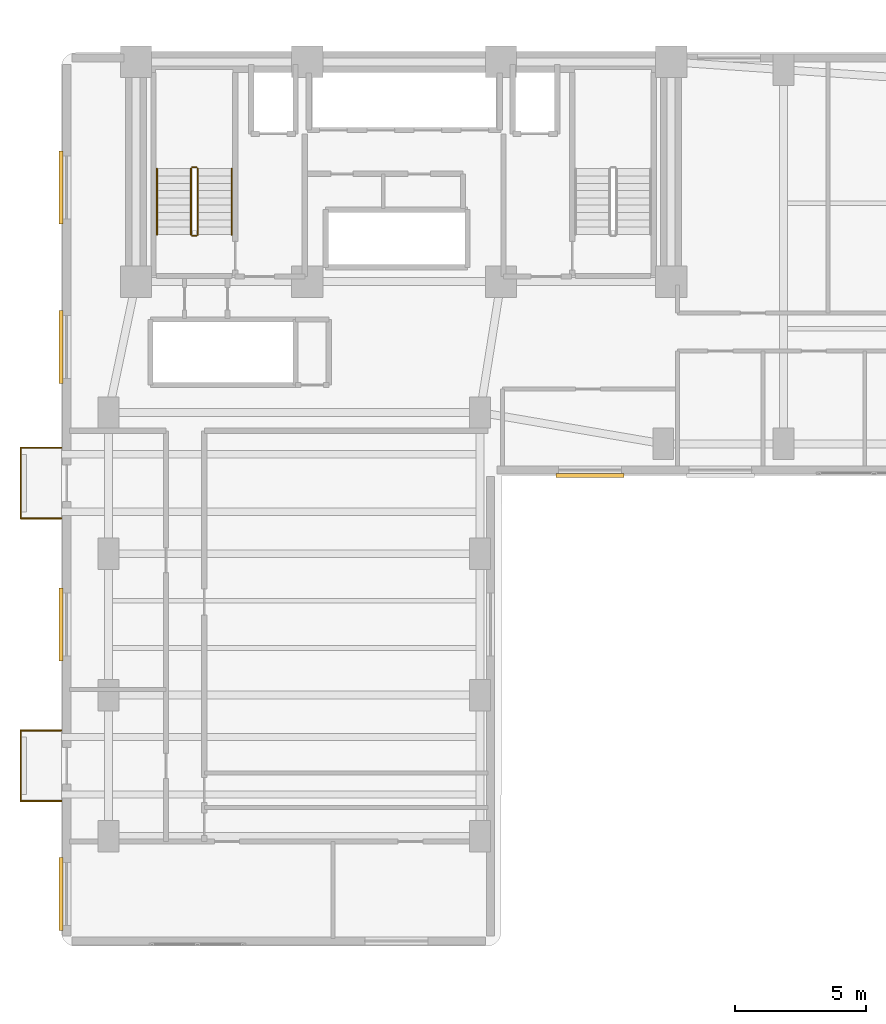
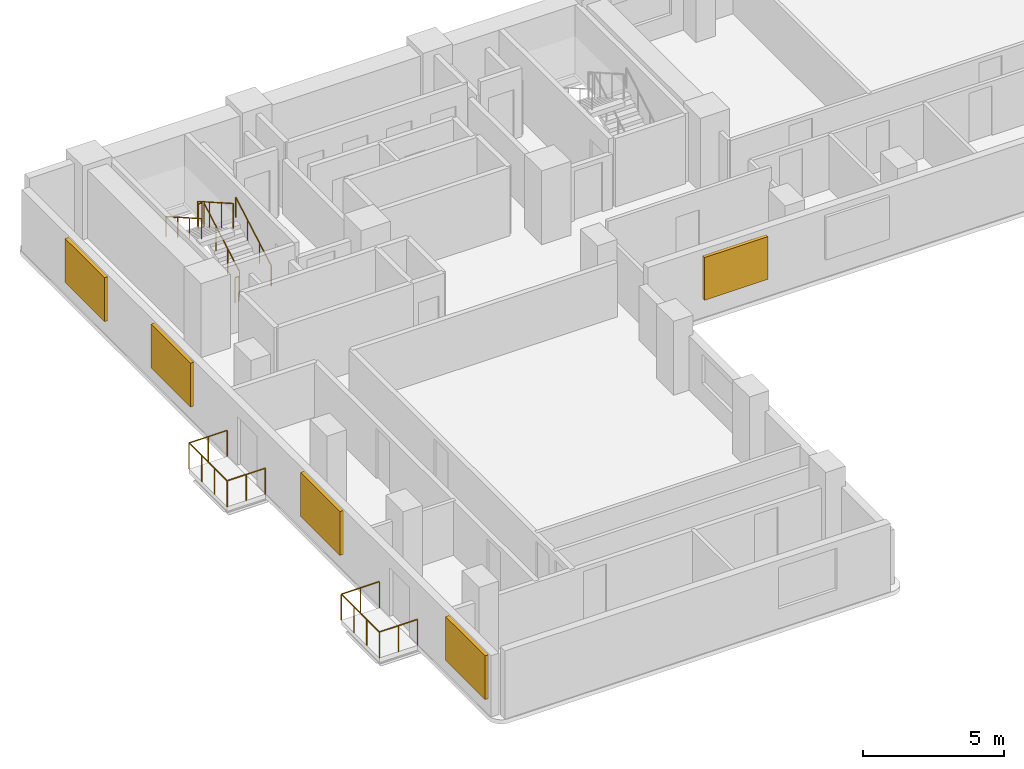
# One storey, part 13 of 15: 12 railings, 5 shading devices.
"""IFC4 building model written with IfcOpenShell, lengths in metres."""

from ifc_helpers import new_model, si_unit, direction, frame, origin, origin_2d, place, context, subcontext, project, spatial, rectangle, circle, extrude, material, layer, layer_set, type_object, element, save


model = new_model("IFC4")

# Units and contexts
model_context = context("Model", 3, precision=1e-05, world=origin(), true_north=direction((0.0, 1.0)))
body_context = subcontext(model_context, "Body", "Model", "MODEL_VIEW")
ifc_project = project(units=[si_unit("LENGTHUNIT", "METRE"), si_unit("AREAUNIT", "SQUARE_METRE"), si_unit("VOLUMEUNIT", "CUBIC_METRE"), si_unit("PLANEANGLEUNIT", "RADIAN"), si_unit("MASSUNIT", "GRAM", prefix="KILO")], contexts=[model_context])

# Site, building, storey
site_placement = place(None, origin())
site = spatial("IfcSite", under=ifc_project, at=site_placement, CompositionType="ELEMENT")
building_placement = place(site_placement, origin())
building = spatial("IfcBuilding", under=site, at=building_placement, Name="Kuzgunbayir Cultural Tower", CompositionType="ELEMENT")
storey_placement = place(building_placement, frame((0.0, 0.0, 72.39990234375)))
storey = spatial("IfcBuildingStorey", under=building, at=storey_placement, Name="L20", CompositionType="ELEMENT", Elevation=72.39990234375)

# Railings
ifc_material_1 = material(Name="Laminated Glass and Stainless Steel", Category="steel")
ifc_layer_1 = layer(ifc_material_1, 0.080078125)
ifc_layer_set_1 = layer_set([ifc_layer_1], Name="Laminated Glass and Stainless Steel")
railing_type_1 = type_object("IfcRailingType", Name="RLG-BAL-115", PredefinedType="BALUSTRADE", material=ifc_layer_set_1)
railing_1_placement = place(storey_placement, frame((3.60009765625, 13.949951171875, 0.0)))
element("IfcRailing", 1, at=railing_1_placement, inside=storey, type_object=railing_type_1, Name="L20 Balcony Guard BAL-L20-WA1 Segment 1", PredefinedType="BALUSTRADE", context=body_context, shape_type="SweptSolid", body=[
    extrude(circle(Radius=0.02392578125, at=origin_2d()), frame((0.0, 0.0, 1.1259765625), z_axis=(-1.0, 0.0, 0.0), x_axis=(0.0, -1.0, 0.0)), (0.0, 0.0, 1.0), 1.56005859375),
    extrude(circle(Radius=0.02099609375, at=origin_2d()), origin(), (0.0, 0.0, 1.0), 1.101806640625),
    extrude(circle(Radius=0.02099609375, at=origin_2d()), frame((-0.780029296875, 0.0, 0.0)), (0.0, 0.0, 1.0), 1.101806640625),
    extrude(circle(Radius=0.02099609375, at=origin_2d()), frame((-1.56005859375, 0.0, 0.0)), (0.0, 0.0, 1.0), 1.101806640625),
])
railing_2_placement = place(storey_placement, frame((2.0400390625, 13.949951171875, 0.0)))
element("IfcRailing", 2, at=railing_2_placement, inside=storey, type_object=railing_type_1, Name="L20 Balcony Guard BAL-L20-WA1 Segment 2", PredefinedType="BALUSTRADE", context=body_context, shape_type="SweptSolid", body=[
    extrude(circle(Radius=0.02392578125, at=origin_2d()), frame((0.0, 0.0, 1.1259765625), z_axis=(0.0, 1.0, 0.0), x_axis=(-1.0, 0.0, 0.0)), (0.0, 0.0, 1.0), 2.699951171875),
    extrude(circle(Radius=0.02099609375, at=origin_2d()), origin(), (0.0, 0.0, 1.0), 1.101806640625),
    extrude(circle(Radius=0.02099609375, at=origin_2d()), frame((0.0, 0.89990234375, 0.0)), (0.0, 0.0, 1.0), 1.101806640625),
    extrude(circle(Radius=0.02099609375, at=origin_2d()), frame((0.0, 1.800048828125, 0.0)), (0.0, 0.0, 1.0), 1.101806640625),
    extrude(circle(Radius=0.02099609375, at=origin_2d()), frame((0.0, 2.699951171875, 0.0)), (0.0, 0.0, 1.0), 1.101806640625),
])
railing_3_placement = place(storey_placement, frame((2.0400390625, 16.64990234375, 0.0)))
element("IfcRailing", 3, at=railing_3_placement, inside=storey, type_object=railing_type_1, Name="L20 Balcony Guard BAL-L20-WA1 Segment 3", PredefinedType="BALUSTRADE", context=body_context, shape_type="SweptSolid", body=[
    extrude(circle(Radius=0.02392578125, at=origin_2d()), frame((0.0, 0.0, 1.1259765625), z_axis=(1.0, 0.0, 0.0), x_axis=(0.0, 1.0, 0.0)), (0.0, 0.0, 1.0), 1.56005859375),
    extrude(circle(Radius=0.02099609375, at=origin_2d()), origin(), (0.0, 0.0, 1.0), 1.101806640625),
    extrude(circle(Radius=0.02099609375, at=origin_2d()), frame((0.780029296875, 0.0, 0.0)), (0.0, 0.0, 1.0), 1.101806640625),
    extrude(circle(Radius=0.02099609375, at=origin_2d()), frame((1.56005859375, 0.0, 0.0)), (0.0, 0.0, 1.0), 1.101806640625),
])
railing_4_placement = place(storey_placement, frame((3.60009765625, 24.75, 0.0)))
element("IfcRailing", 4, at=railing_4_placement, inside=storey, type_object=railing_type_1, Name="L20 Balcony Guard BAL-L20-WA3 Segment 1", PredefinedType="BALUSTRADE", context=body_context, shape_type="SweptSolid", body=[
    extrude(circle(Radius=0.02392578125, at=origin_2d()), frame((0.0, 0.0, 1.1259765625), z_axis=(-1.0, 0.0, 0.0), x_axis=(0.0, -1.0, 0.0)), (0.0, 0.0, 1.0), 1.56005859375),
    extrude(circle(Radius=0.02099609375, at=origin_2d()), origin(), (0.0, 0.0, 1.0), 1.101806640625),
    extrude(circle(Radius=0.02099609375, at=origin_2d()), frame((-0.780029296875, 0.0, 0.0)), (0.0, 0.0, 1.0), 1.101806640625),
    extrude(circle(Radius=0.02099609375, at=origin_2d()), frame((-1.56005859375, 0.0, 0.0)), (0.0, 0.0, 1.0), 1.101806640625),
])
railing_5_placement = place(storey_placement, frame((2.0400390625, 24.75, 0.0)))
element("IfcRailing", 5, at=railing_5_placement, inside=storey, type_object=railing_type_1, Name="L20 Balcony Guard BAL-L20-WA3 Segment 2", PredefinedType="BALUSTRADE", context=body_context, shape_type="SweptSolid", body=[
    extrude(circle(Radius=0.02392578125, at=origin_2d()), frame((0.0, 0.0, 1.1259765625), z_axis=(0.0, 1.0, 0.0), x_axis=(-1.0, 0.0, 0.0)), (0.0, 0.0, 1.0), 2.699951171875),
    extrude(circle(Radius=0.02099609375, at=origin_2d()), origin(), (0.0, 0.0, 1.0), 1.101806640625),
    extrude(circle(Radius=0.02099609375, at=origin_2d()), frame((0.0, 0.89990234375, 0.0)), (0.0, 0.0, 1.0), 1.101806640625),
    extrude(circle(Radius=0.02099609375, at=origin_2d()), frame((0.0, 1.800048828125, 0.0)), (0.0, 0.0, 1.0), 1.101806640625),
    extrude(circle(Radius=0.02099609375, at=origin_2d()), frame((0.0, 2.699951171875, 0.0)), (0.0, 0.0, 1.0), 1.101806640625),
])
railing_6_placement = place(storey_placement, frame((2.0400390625, 27.449951171875, 0.0)))
element("IfcRailing", 6, at=railing_6_placement, inside=storey, type_object=railing_type_1, Name="L20 Balcony Guard BAL-L20-WA3 Segment 3", PredefinedType="BALUSTRADE", context=body_context, shape_type="SweptSolid", body=[
    extrude(circle(Radius=0.02392578125, at=origin_2d()), frame((0.0, 0.0, 1.1259765625), z_axis=(1.0, 0.0, 0.0), x_axis=(0.0, 1.0, 0.0)), (0.0, 0.0, 1.0), 1.56005859375),
    extrude(circle(Radius=0.02099609375, at=origin_2d()), origin(), (0.0, 0.0, 1.0), 1.101806640625),
    extrude(circle(Radius=0.02099609375, at=origin_2d()), frame((0.780029296875, 0.0, 0.0)), (0.0, 0.0, 1.0), 1.101806640625),
    extrude(circle(Radius=0.02099609375, at=origin_2d()), frame((1.56005859375, 0.0, 0.0)), (0.0, 0.0, 1.0), 1.101806640625),
])
ifc_material_2 = material(Name="Brushed Stainless Steel", Category="steel")
ifc_layer_2 = layer(ifc_material_2, 0.050048828125)
ifc_layer_set_2 = layer_set([ifc_layer_2], Name="Brushed Stainless Steel")
railing_type_2 = type_object("IfcRailingType", Name="RLG-STAIR-HANDRAIL", PredefinedType="HANDRAIL", material=ifc_layer_set_2)
railing_7_placement = place(storey_placement, frame((10.110107421875, 35.60009765625, 0.16015625)))
element("IfcRailing", 7, at=railing_7_placement, inside=storey, type_object=railing_type_2, Name="L20 ST-1 stair handrail 1", PredefinedType="HANDRAIL", context=body_context, shape_type="SweptSolid", body=[
    extrude(circle(Radius=0.02392578125, at=origin_2d()), frame((0.0, 0.0, 0.8759765625), z_axis=(0.0, 0.868253494771, 0.496120820787), x_axis=(-1.0, 0.0, 0.0)), (0.0, 0.0, 1.0), 2.90234375),
    extrude(circle(Radius=0.02099609375, at=origin_2d()), origin(), (0.0, 0.0, 1.0), 0.851806640625),
    extrude(circle(Radius=0.02099609375, at=origin_2d()), frame((0.0, 0.840087890625, 0.47998046875)), (0.0, 0.0, 1.0), 0.851806640625),
    extrude(circle(Radius=0.02099609375, at=origin_2d()), frame((0.0, 1.679931640625, 0.9599609375)), (0.0, 0.0, 1.0), 0.851806640625),
    extrude(circle(Radius=0.02099609375, at=origin_2d()), frame((0.0, 2.52001953125, 1.43994140625)), (0.0, 0.0, 1.0), 0.851806640625),
])
railing_8_placement = place(storey_placement, frame((7.25, 38.1201171875, 1.760009765625)))
element("IfcRailing", 8, at=railing_8_placement, inside=storey, type_object=railing_type_2, Name="L20 ST-1 stair handrail 2", PredefinedType="HANDRAIL", context=body_context, shape_type="SweptSolid", body=[
    extrude(circle(Radius=0.02392578125, at=origin_2d()), frame((0.0, 0.0, 0.8759765625), z_axis=(0.0, -0.868217259934, 0.496184229447), x_axis=(1.0, 0.0, 0.0)), (0.0, 0.0, 1.0), 2.902587890625),
    extrude(circle(Radius=0.02099609375, at=origin_2d()), origin(), (0.0, 0.0, 1.0), 0.851806640625),
    extrude(circle(Radius=0.02099609375, at=origin_2d()), frame((0.0, -0.840087890625, 0.47998046875)), (0.0, 0.0, 1.0), 0.851806640625),
    extrude(circle(Radius=0.02099609375, at=origin_2d()), frame((0.0, -1.679931640625, 0.960205078125)), (0.0, 0.0, 1.0), 0.851806640625),
    extrude(circle(Radius=0.02099609375, at=origin_2d()), frame((0.0, -2.52001953125, 1.440185546875)), (0.0, 0.0, 1.0), 0.851806640625),
])
ifc_material_3 = material(Name="Painted Steel Balustrade", Category="steel")
ifc_layer_3 = layer(ifc_material_3, 0.06005859375)
ifc_layer_set_3 = layer_set([ifc_layer_3], Name="Painted Steel Balustrade")
railing_type_3 = type_object("IfcRailingType", Name="RLG-WELL-GUARD", PredefinedType="GUARDRAIL", material=ifc_layer_set_3)
railing_9_placement = place(storey_placement, frame((8.81005859375, 35.60009765625, 0.16015625)))
element("IfcRailing", 9, at=railing_9_placement, inside=storey, type_object=railing_type_3, Name="L20 ST-1 stair guard 1", PredefinedType="GUARDRAIL", context=body_context, shape_type="SweptSolid", body=[
    extrude(circle(Radius=0.02392578125, at=origin_2d()), frame((0.0, 0.0, 1.076171875), z_axis=(0.0, 0.868253494771, 0.496120820787), x_axis=(-1.0, 0.0, 0.0)), (0.0, 0.0, 1.0), 2.90234375),
    extrude(circle(Radius=0.02099609375, at=origin_2d()), origin(), (0.0, 0.0, 1.0), 1.052001953125),
    extrude(circle(Radius=0.02099609375, at=origin_2d()), frame((0.0, 0.840087890625, 0.47998046875)), (0.0, 0.0, 1.0), 1.052001953125),
    extrude(circle(Radius=0.02099609375, at=origin_2d()), frame((0.0, 1.679931640625, 0.9599609375)), (0.0, 0.0, 1.0), 1.052001953125),
    extrude(circle(Radius=0.02099609375, at=origin_2d()), frame((0.0, 2.52001953125, 1.43994140625)), (0.0, 0.0, 1.0), 1.052001953125),
])
railing_10_placement = place(storey_placement, frame((8.760009765625, 38.169921875, 1.60009765625)))
element("IfcRailing", 10, at=railing_10_placement, inside=storey, type_object=railing_type_3, Name="L20 ST-1 stair guard 2", PredefinedType="GUARDRAIL", context=body_context, shape_type="SweptSolid", body=[
    extrude(circle(Radius=0.02392578125, at=origin_2d()), frame((0.0, 0.0, 1.076171875), z_axis=(-1.0, 0.0, 0.0), x_axis=(0.0, -1.0, 0.0)), (0.0, 0.0, 1.0), 0.159912109375),
    extrude(circle(Radius=0.02099609375, at=origin_2d()), origin(), (0.0, 0.0, 1.0), 1.052001953125),
    extrude(circle(Radius=0.02099609375, at=origin_2d()), frame((-0.159912109375, 0.0, 0.0)), (0.0, 0.0, 1.0), 1.052001953125),
])
railing_11_placement = place(storey_placement, frame((8.550048828125, 38.1201171875, 1.760009765625)))
element("IfcRailing", 11, at=railing_11_placement, inside=storey, type_object=railing_type_3, Name="L20 ST-1 stair guard 3", PredefinedType="GUARDRAIL", context=body_context, shape_type="SweptSolid", body=[
    extrude(circle(Radius=0.02392578125, at=origin_2d()), frame((0.0, 0.0, 1.076171875), z_axis=(0.0, -0.868217259934, 0.496184229447), x_axis=(1.0, 0.0, 0.0)), (0.0, 0.0, 1.0), 2.902587890625),
    extrude(circle(Radius=0.02099609375, at=origin_2d()), origin(), (0.0, 0.0, 1.0), 1.052001953125),
    extrude(circle(Radius=0.02099609375, at=origin_2d()), frame((0.0, -0.840087890625, 0.47998046875)), (0.0, 0.0, 1.0), 1.052001953125),
    extrude(circle(Radius=0.02099609375, at=origin_2d()), frame((0.0, -1.679931640625, 0.960205078125)), (0.0, 0.0, 1.0), 1.052001953125),
    extrude(circle(Radius=0.02099609375, at=origin_2d()), frame((0.0, -2.52001953125, 1.440185546875)), (0.0, 0.0, 1.0), 1.052001953125),
])
railing_12_placement = place(storey_placement, frame((8.760009765625, 35.550048828125, 0.0)))
element("IfcRailing", 12, at=railing_12_placement, inside=storey, type_object=railing_type_3, Name="L20 ST-1 stair guard 4", PredefinedType="GUARDRAIL", context=body_context, shape_type="SweptSolid", body=[
    extrude(circle(Radius=0.02392578125, at=origin_2d()), frame((0.0, 0.0, 1.076171875), z_axis=(-1.0, 0.0, 0.0), x_axis=(0.0, -1.0, 0.0)), (0.0, 0.0, 1.0), 0.159912109375),
    extrude(circle(Radius=0.02099609375, at=origin_2d()), origin(), (0.0, 0.0, 1.0), 1.052001953125),
    extrude(circle(Radius=0.02099609375, at=origin_2d()), frame((-0.159912109375, 0.0, 0.0)), (0.0, 0.0, 1.0), 1.052001953125),
])

# Shading devices
ifc_material_4 = material(Name="Perforated Bronze-Anodised Aluminium", Category="aluminium")
shading_device_type = type_object("IfcShadingDeviceType", Name="SHD-SOLAR-BRONZE", PredefinedType="JALOUSIE", material=ifc_material_4)
shading_device_placement = place(storey_placement, frame((23.800048828125, 26.389892578125, 0.824951171875), z_axis=(0.0, 0.0, 1.0), x_axis=(1.0, 0.0, 0.0)))
element("IfcShadingDevice", 13, at=shading_device_placement, inside=storey, type_object=shading_device_type, Name="L20 Solar Screen WBS1", PredefinedType="JALOUSIE", context=body_context, shape_type="SweptSolid", body=[
    extrude(rectangle(XDim=2.60009765625, YDim=0.139892578125, at=origin_2d()), origin(), (0.0, 0.0, 1.0), 1.85009765625),
])
for number, where, z_axis, x_axis, name in (
    (14, (3.580078125, 10.39990234375, 0.68017578125), (0.0, 0.0, 1.0), (1.0, 0.0, 0.0), "L20 Perforated Bronze Solar Screen WAW5"),
    (15, (3.580078125, 20.699951171875, 0.68017578125), (0.0, 0.0, 1.0), (1.0, 0.0, 0.0), "L20 Perforated Bronze Solar Screen WAW6"),
    (16, (3.580078125, 31.300048828125, 0.68017578125), (0.0, 0.0, 1.0), (1.0, 0.0, 0.0), "L20 Perforated Bronze Solar Screen WAW7"),
    (17, (3.580078125, 37.39990234375, 0.68017578125), (0.0, 0.0, 1.0), (1.0, 0.0, 0.0), "L20 Perforated Bronze Solar Screen WAW8"),
):
    element("IfcShadingDevice", number, at=place(storey_placement, frame(where, z_axis=z_axis, x_axis=x_axis)), inside=storey, type_object=shading_device_type, Name=name, PredefinedType="JALOUSIE", context=body_context, shape_type="SweptSolid", body=[
        extrude(rectangle(XDim=0.139892578125, YDim=2.800048828125, at=origin_2d()), origin(), (0.0, 0.0, 1.0), 1.89990234375),
    ])

save(model, "model.ifc")
